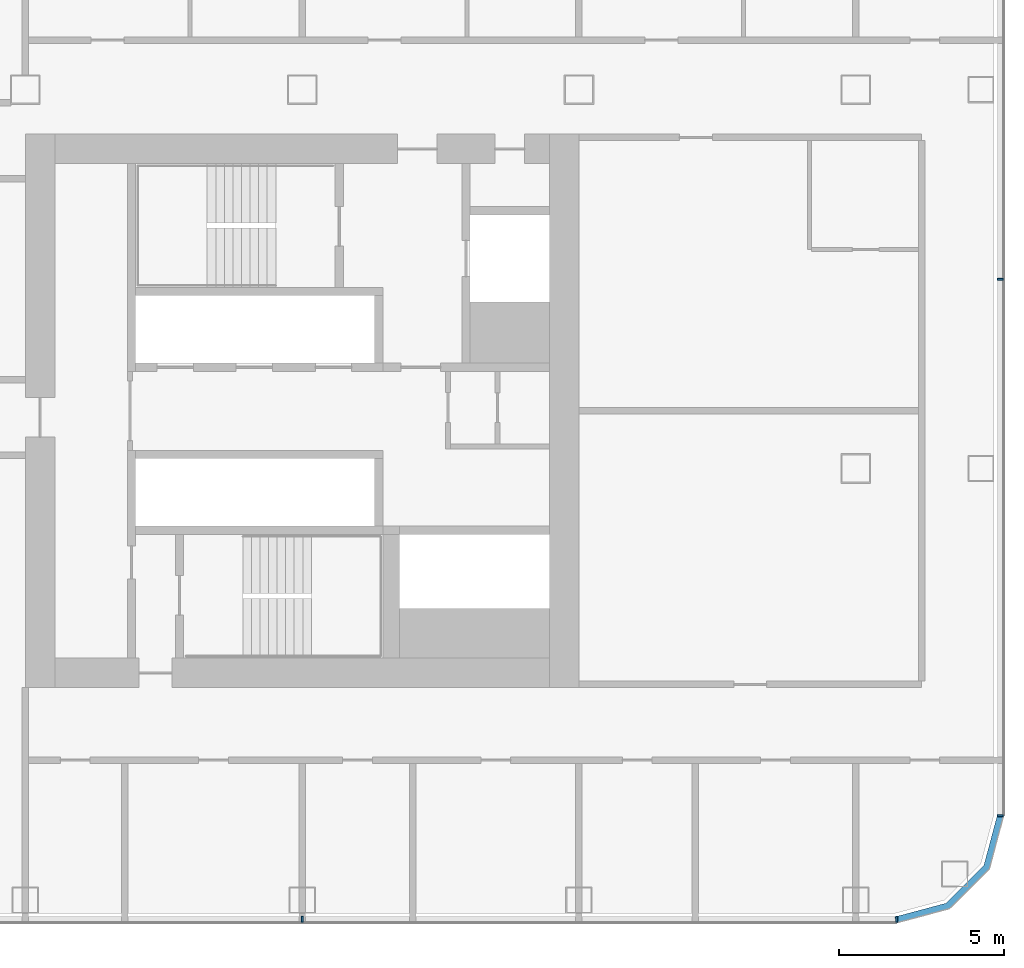
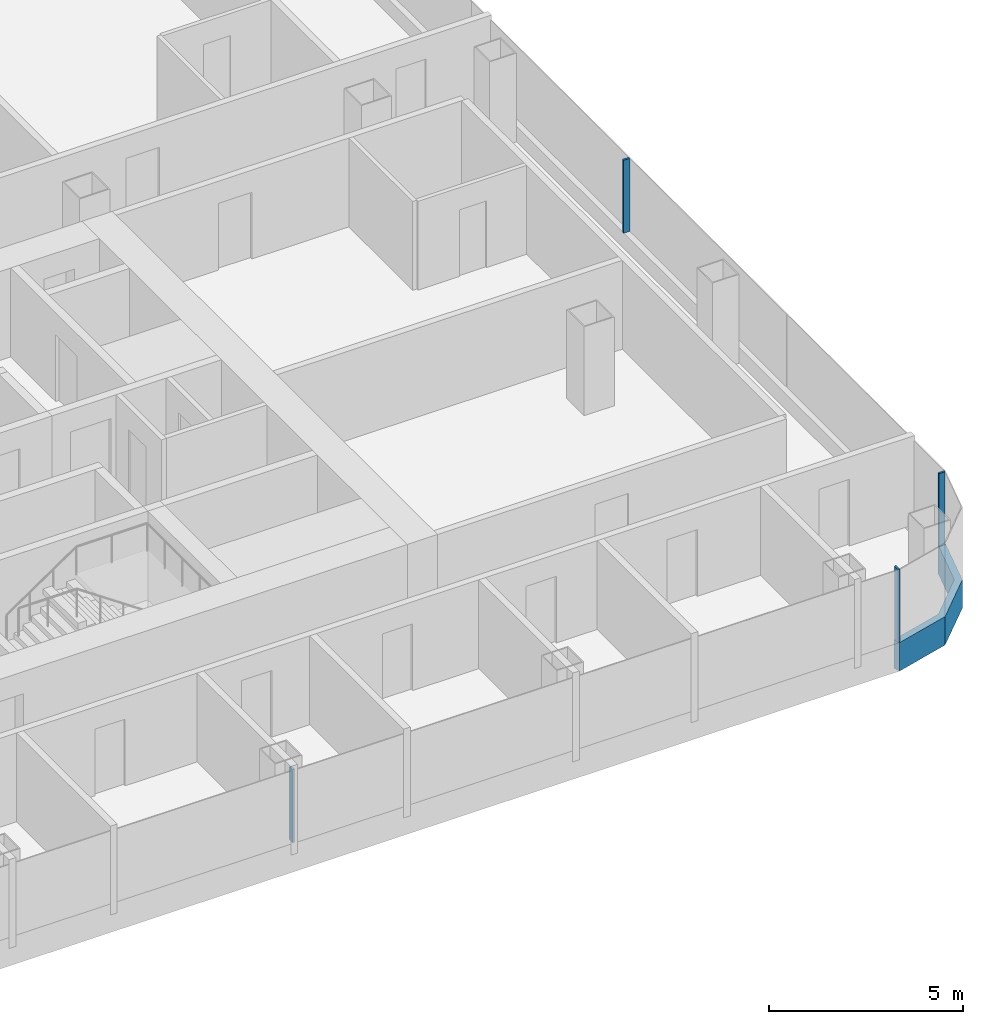
# One storey, part 11 of 29: 5 members, 3 elements without a shape of their own.
"""IFC4 building model written with IfcOpenShell, lengths in metres."""

from ifc_helpers import new_model, si_unit, direction, frame, origin, origin_2d, place, context, subcontext, project, spatial, polyline, rectangle, outline, extrude, material, layer, layer_set, material_profile, profile_set, type_object, element, aggregate, save


model = new_model("IFC4")

# Units and contexts
model_context = context("Model", 3, precision=1e-05, world=origin(), true_north=direction((0.0, 1.0)))
body_context = subcontext(model_context, "Body", "Model", "MODEL_VIEW")
ifc_project = project(units=[si_unit("LENGTHUNIT", "METRE"), si_unit("AREAUNIT", "SQUARE_METRE"), si_unit("VOLUMEUNIT", "CUBIC_METRE"), si_unit("PLANEANGLEUNIT", "RADIAN"), si_unit("MASSUNIT", "GRAM", prefix="KILO")], contexts=[model_context])

# Site, building, storey
site_placement = place(None, origin())
site = spatial("IfcSite", under=ifc_project, at=site_placement, CompositionType="ELEMENT")
building_placement = place(site_placement, origin())
building = spatial("IfcBuilding", under=site, at=building_placement, Name="Hakoniwa Tower and Hamabe Station Hall", CompositionType="ELEMENT")
storey_placement = place(building_placement, frame((0.0, 0.0, 91.39990234375)))
storey = spatial("IfcBuildingStorey", under=building, at=storey_placement, Name="L25", CompositionType="ELEMENT", Elevation=91.39990234375)

# Curtain wall, member
ifc_material_1 = material(Name="Dark low-e laminated glass", Category="glass")
ifc_layer = layer(ifc_material_1, 0.199951171875)
ifc_layer_set = layer_set([ifc_layer], Name="CW-1 UNITISED GUEST")
curtain_wall_type = type_object("IfcCurtainWallType", Name="CW-1 UNITISED GUEST", PredefinedType="NOTDEFINED", material=ifc_layer_set)
curtain_wall_1_placement = place(storey_placement, origin())
curtain_wall_1 = element("IfcCurtainWall", 1, at=curtain_wall_1_placement, inside=storey, type_object=curtain_wall_type, Name="CW-1 curtain wall", PredefinedType="NOTDEFINED")
ifc_material_2 = material(Name="Aluminium 6063-T5 black anodised", Category="aluminium")
ifc_material_profile_1 = material_profile(ifc_material_2, rectangle(XDim=0.199951171875, YDim=0.89990234375, at=origin_2d()), Name="CW SLAB-EDGE BAND 900X200")
ifc_profile_set_1 = profile_set([ifc_material_profile_1], Name="Aluminium 6063-T5 black anodised")
member_type_1 = type_object("IfcMemberType", Name="CW SLAB-EDGE BAND 900X200", PredefinedType="USERDEFINED", material=ifc_profile_set_1)
member_1_placement = place(storey_placement, frame((0.0, 0.0, -0.5498046875)))
member_1 = element("IfcMember", 2, at=member_1_placement, type_object=member_type_1, Name="CW-1 transom", ObjectType="TRANSOM", PredefinedType="USERDEFINED", context=body_context, shape_type="SweptSolid", body=[
    extrude(outline(polyline([(43.239501953125, -15.550048828125), (44.855224609375, -15.116943359375), (46.067138671875, -13.9052734375), (46.5, -12.28955078125), (46.306884765625, -12.23779296875), (45.8876953125, -13.8017578125), (44.751708984375, -14.937744140625), (43.187744140625, -15.35693359375), (43.239501953125, -15.550048828125)])), origin(), (0.0, 0.0, 1.0), 0.89990234375),
])
aggregate(curtain_wall_1, [member_1])

# Curtain wall, members
curtain_wall_2_placement = place(storey_placement, origin())
curtain_wall_2 = element("IfcCurtainWall", 3, at=curtain_wall_2_placement, inside=storey, type_object=curtain_wall_type, Name="CW-1 curtain wall", PredefinedType="NOTDEFINED")
ifc_material_3 = material(Name="Aluminium 6063-T5 black anodised", Category="aluminium")
ifc_material_profile_2 = material_profile(ifc_material_3, rectangle(XDim=0.06005859375, YDim=0.179931640625, at=origin_2d()), Name="CW-1 MULLION 60X180")
ifc_profile_set_2 = profile_set([ifc_material_profile_2], Name="Aluminium 6063-T5 black anodised")
member_type_2 = type_object("IfcMemberType", Name="CW-1 MULLION 60X180", PredefinedType="MULLION", material=ifc_profile_set_2)
member_2_placement = place(storey_placement, frame((46.382080078125, -12.28955078125, 0.35009765625), z_axis=(0.0, 0.0, 1.0), x_axis=(0.0, 1.0, 0.0)))
member_2 = element("IfcMember", 4, at=member_2_placement, type_object=member_type_2, Name="CW-1 mullion", PredefinedType="MULLION", context=body_context, shape_type="SweptSolid", body=[
    extrude(rectangle(XDim=0.06005859375, YDim=0.179931640625, at=origin_2d()), origin(), (0.0, 0.0, 1.0), 2.300048828125),
])
member_3_placement = place(storey_placement, frame((46.382080078125, 4.0, 0.35009765625), z_axis=(0.0, 0.0, 1.0), x_axis=(0.0, 1.0, 0.0)))
member_3 = element("IfcMember", 5, at=member_3_placement, type_object=member_type_2, Name="CW-1 mullion", PredefinedType="MULLION", context=body_context, shape_type="SweptSolid", body=[
    extrude(rectangle(XDim=0.06005859375, YDim=0.179931640625, at=origin_2d()), origin(), (0.0, 0.0, 1.0), 2.300048828125),
])
aggregate(curtain_wall_2, [member_2, member_3])

curtain_wall_3_placement = place(storey_placement, origin())
curtain_wall_3 = element("IfcCurtainWall", 6, at=curtain_wall_3_placement, inside=storey, type_object=curtain_wall_type, Name="CW-1 curtain wall", PredefinedType="NOTDEFINED")
member_4_placement = place(storey_placement, frame((25.199951171875, -15.431884765625, 0.35009765625), z_axis=(0.0, 0.0, 1.0), x_axis=(1.0, 0.0, 0.0)))
member_4 = element("IfcMember", 7, at=member_4_placement, type_object=member_type_2, Name="CW-1 mullion", PredefinedType="MULLION", context=body_context, shape_type="SweptSolid", body=[
    extrude(rectangle(XDim=0.06005859375, YDim=0.179931640625, at=origin_2d()), origin(), (0.0, 0.0, 1.0), 2.300048828125),
])
member_5_placement = place(storey_placement, frame((43.239501953125, -15.431884765625, 0.35009765625), z_axis=(0.0, 0.0, 1.0), x_axis=(1.0, 0.0, 0.0)))
member_5 = element("IfcMember", 8, at=member_5_placement, type_object=member_type_2, Name="CW-1 mullion", PredefinedType="MULLION", context=body_context, shape_type="SweptSolid", body=[
    extrude(rectangle(XDim=0.06005859375, YDim=0.179931640625, at=origin_2d()), origin(), (0.0, 0.0, 1.0), 2.300048828125),
])
aggregate(curtain_wall_3, [member_4, member_5])

save(model, "model.ifc")
